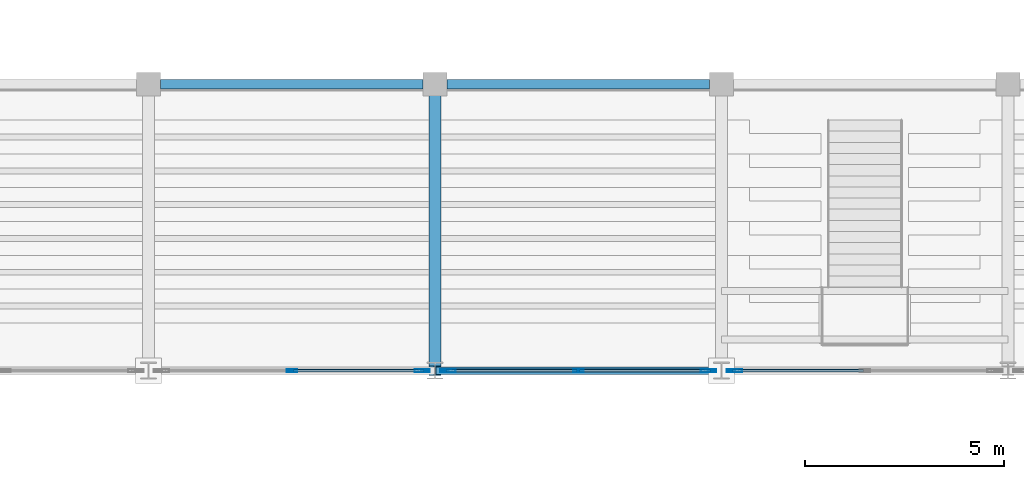
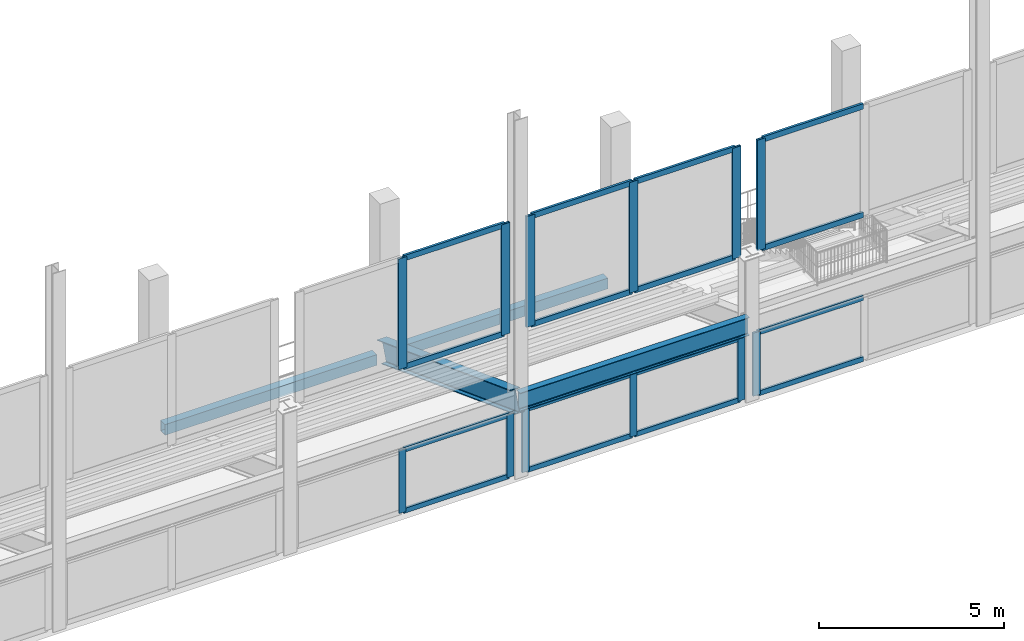
# One storey, part 22 of 120: 28 members, 4 beams, 6 elements without a shape of their own.
"""IFC4 building model written with IfcOpenShell, lengths in metres."""

from ifc_helpers import new_model, si_unit, direction, frame, origin, origin_2d, place, context, subcontext, project, spatial, hollow_rectangle, i_section, extrude, material, material_profile, profile_set, type_object, element, aggregate, save


model = new_model("IFC4")

# Units and contexts
model_context = context("Model", 3, precision=1e-05, world=origin(), true_north=direction((0.0, 1.0)))
body_context = subcontext(model_context, "Body", "Model", "MODEL_VIEW")
ifc_project = project(units=[si_unit("LENGTHUNIT", "METRE"), si_unit("AREAUNIT", "SQUARE_METRE"), si_unit("VOLUMEUNIT", "CUBIC_METRE"), si_unit("PLANEANGLEUNIT", "RADIAN"), si_unit("MASSUNIT", "GRAM", prefix="KILO")], contexts=[model_context])

# Site, building, storey
site_placement = place(None, origin())
site = spatial("IfcSite", under=ifc_project, at=site_placement, CompositionType="ELEMENT")
building_placement = place(site_placement, origin())
building = spatial("IfcBuilding", under=site, at=building_placement, Name="Vesperath Aquatics Centre", CompositionType="ELEMENT")
storey_placement = place(building_placement, frame((0.0, 0.0, 10.199951171875)))
storey = spatial("IfcBuildingStorey", under=building, at=storey_placement, Name="L02", CompositionType="ELEMENT", Elevation=10.199951171875)

# Beams
ifc_material_1 = material(Name="Steel Q355D", Category="steel")
ifc_material_profile_1 = material_profile(ifc_material_1, i_section(OverallWidth=0.300048828125, OverallDepth=0.699951171875, WebThickness=0.012939453125, FlangeThickness=0.02392578125, FilletRadius=0.028076171875, at=origin_2d()), Name="HN 700x300x13x24")
ifc_profile_set_1 = profile_set([ifc_material_profile_1], Name="Steel Q355D")
beam_type_1 = type_object("IfcBeamType", Name="BM-RK02", PredefinedType="USERDEFINED", material=ifc_profile_set_1)
beam_1_placement = place(storey_placement, frame((36.0, 21.60009765625, -0.300048828125), z_axis=(0.0, -0.93632395855, 0.351137358659), x_axis=(1.0, 0.0, 0.0)))
element("IfcBeam", 1, at=beam_1_placement, inside=storey, type_object=beam_type_1, Name="Upper Stand RAKER Beam RK02 South 6", ObjectType="RAKER", PredefinedType="USERDEFINED", context=body_context, shape_type="SweptSolid", body=[
    extrude(i_section(OverallWidth=0.300048828125, OverallDepth=0.699951171875, WebThickness=0.012939453125, FlangeThickness=0.02392578125, FilletRadius=0.028076171875, at=origin_2d()), origin(), (0.0, 0.0, 1.0), 7.68994140625),
])
ifc_material_profile_2 = material_profile(ifc_material_1, i_section(OverallWidth=0.199951171875, OverallDepth=0.60009765625, WebThickness=0.010986328125, FlangeThickness=0.01708984375, FilletRadius=0.02197265625, at=origin_2d()), Name="HN 600x200x11x17")
ifc_profile_set_2 = profile_set([ifc_material_profile_2], Name="Steel Q355D")
beam_type_2 = type_object("IfcBeamType", Name="BM-RKH1", PredefinedType="BEAM", material=ifc_profile_set_2)
beam_2_placement = place(storey_placement, frame((36.02001953125, 14.39990234375, 2.400146484375), z_axis=(1.0, 0.0, 0.0), x_axis=(0.0, 1.0, 0.0)))
element("IfcBeam", 2, at=beam_2_placement, inside=storey, type_object=beam_type_2, Name="Upper Bowl Rim Girder RKH1 South 6-7", PredefinedType="BEAM", context=body_context, shape_type="SweptSolid", body=[
    extrude(i_section(OverallWidth=0.199951171875, OverallDepth=0.60009765625, WebThickness=0.010986328125, FlangeThickness=0.01708984375, FilletRadius=0.02197265625, at=origin_2d()), origin(), (0.0, 0.0, 1.0), 7.159912109375),
])
ifc_material_profile_3 = material_profile(ifc_material_1, hollow_rectangle(XDim=0.25, YDim=0.35009765625, WallThickness=0.011962890625, at=origin_2d()), Name="RHS 350x250x12")
ifc_profile_set_3 = profile_set([ifc_material_profile_3], Name="Steel Q355D")
beam_type_3 = type_object("IfcBeamType", Name="BM-SP02", PredefinedType="SPANDREL", material=ifc_profile_set_3)
for number, where, z_axis, x_axis, name in (
    (3, (29.10009765625, 21.60009765625, -0.43505859375), (1.0, 0.0, 0.0), (0.0, 1.0, 0.0), "Floor Girder SP02 L02 D 5-6"),
    (4, (36.300048828125, 21.60009765625, -0.43505859375), (1.0, 0.0, 0.0), (0.0, 1.0, 0.0), "Floor Girder SP02 L02 D 6-7"),
):
    element("IfcBeam", number, at=place(storey_placement, frame(where, z_axis=z_axis, x_axis=x_axis)), inside=storey, type_object=beam_type_3, Name=name, PredefinedType="SPANDREL", context=body_context, shape_type="SweptSolid", body=[
        extrude(hollow_rectangle(XDim=0.25, YDim=0.35009765625, WallThickness=0.011962890625, at=origin_2d()), origin(), (0.0, 0.0, 1.0), 6.599853515625),
    ])

# Curtain wall, members
ifc_material_2 = material(Name="Thermally broken anodised bronze aluminium curtain wall", Category="aluminium")
curtain_wall_type_1 = type_object("IfcCurtainWallType", Name="CW-08", PredefinedType="NOTDEFINED", material=ifc_material_2)
curtain_wall_1_placement = place(storey_placement, origin())
curtain_wall_1 = element("IfcCurtainWall", 5, at=curtain_wall_1_placement, inside=storey, type_object=curtain_wall_type_1, Name="Natatorium Gable West Curtain Wall CW08 S-3W", PredefinedType="NOTDEFINED")
ifc_material_3 = material(Name="Thermally broken anodised aluminium", Category="aluminium")
ifc_material_profile_4 = material_profile(ifc_material_3, hollow_rectangle(XDim=0.074951171875, YDim=0.260009765625, WallThickness=0.006103515625, at=origin_2d()), Name="CWM 75x260x6")
ifc_profile_set_4 = profile_set([ifc_material_profile_4], Name="Thermally broken anodised aluminium")
member_type_1 = type_object("IfcMemberType", Name="MB-CWM1", PredefinedType="MULLION", material=ifc_profile_set_4)
member_1_placement = place(storey_placement, frame((32.39990234375, 14.39990234375, 4.75), z_axis=(0.0, 0.0, 1.0), x_axis=(0.0, 1.0, 0.0)))
member_1 = element("IfcMember", 6, at=member_1_placement, type_object=member_type_1, Name="CW08 mullion 2", PredefinedType="MULLION", context=body_context, shape_type="SweptSolid", body=[
    extrude(hollow_rectangle(XDim=0.074951171875, YDim=0.260009765625, WallThickness=0.006103515625, at=origin_2d()), origin(), (0.0, 0.0, 1.0), 3.650146484375),
])
member_2_placement = place(storey_placement, frame((35.612548828125, 14.39990234375, 4.75), z_axis=(0.0, 0.0, 1.0), x_axis=(0.0, 1.0, 0.0)))
member_2 = element("IfcMember", 7, at=member_2_placement, type_object=member_type_1, Name="CW08 mullion 3", PredefinedType="MULLION", context=body_context, shape_type="SweptSolid", body=[
    extrude(hollow_rectangle(XDim=0.074951171875, YDim=0.260009765625, WallThickness=0.006103515625, at=origin_2d()), origin(), (0.0, 0.0, 1.0), 3.650146484375),
])

curtain_wall_2_placement = place(storey_placement, origin())
curtain_wall_2 = element("IfcCurtainWall", 8, at=curtain_wall_2_placement, inside=storey, type_object=curtain_wall_type_1, Name="Natatorium Gable East Curtain Wall CW08 S-3E", PredefinedType="NOTDEFINED")
member_3_placement = place(storey_placement, frame((36.387451171875, 14.39990234375, 4.75), z_axis=(0.0, 0.0, 1.0), x_axis=(0.0, 1.0, 0.0)))
member_3 = element("IfcMember", 9, at=member_3_placement, type_object=member_type_1, Name="CW08 mullion 1", PredefinedType="MULLION", context=body_context, shape_type="SweptSolid", body=[
    extrude(hollow_rectangle(XDim=0.074951171875, YDim=0.260009765625, WallThickness=0.006103515625, at=origin_2d()), origin(), (0.0, 0.0, 1.0), 3.650146484375),
])
member_4_placement = place(storey_placement, frame((39.60009765625, 14.39990234375, 4.75), z_axis=(0.0, 0.0, 1.0), x_axis=(0.0, 1.0, 0.0)))
member_4 = element("IfcMember", 10, at=member_4_placement, type_object=member_type_1, Name="CW08 mullion 2", PredefinedType="MULLION", context=body_context, shape_type="SweptSolid", body=[
    extrude(hollow_rectangle(XDim=0.074951171875, YDim=0.260009765625, WallThickness=0.006103515625, at=origin_2d()), origin(), (0.0, 0.0, 1.0), 3.650146484375),
])
member_5_placement = place(storey_placement, frame((42.8125, 14.39990234375, 4.75), z_axis=(0.0, 0.0, 1.0), x_axis=(0.0, 1.0, 0.0)))
member_5 = element("IfcMember", 11, at=member_5_placement, type_object=member_type_1, Name="CW08 mullion 3", PredefinedType="MULLION", context=body_context, shape_type="SweptSolid", body=[
    extrude(hollow_rectangle(XDim=0.074951171875, YDim=0.260009765625, WallThickness=0.006103515625, at=origin_2d()), origin(), (0.0, 0.0, 1.0), 3.650146484375),
])

# Curtain wall, member
curtain_wall_3_placement = place(storey_placement, origin())
curtain_wall_3 = element("IfcCurtainWall", 12, at=curtain_wall_3_placement, inside=storey, type_object=curtain_wall_type_1, Name="Natatorium Gable West Curtain Wall CW08 S-4W", PredefinedType="NOTDEFINED")
member_6_placement = place(storey_placement, frame((43.58740234375, 14.39990234375, 4.75), z_axis=(0.0, 0.0, 1.0), x_axis=(0.0, 1.0, 0.0)))
member_6 = element("IfcMember", 13, at=member_6_placement, type_object=member_type_1, Name="CW08 mullion 1", PredefinedType="MULLION", context=body_context, shape_type="SweptSolid", body=[
    extrude(hollow_rectangle(XDim=0.074951171875, YDim=0.260009765625, WallThickness=0.006103515625, at=origin_2d()), origin(), (0.0, 0.0, 1.0), 3.650146484375),
])

# Curtain wall, members
curtain_wall_type_2 = type_object("IfcCurtainWallType", Name="CW-06", PredefinedType="NOTDEFINED", material=ifc_material_2)
curtain_wall_4_placement = place(storey_placement, origin())
curtain_wall_4 = element("IfcCurtainWall", 14, at=curtain_wall_4_placement, inside=storey, type_object=curtain_wall_type_2, Name="Facade Curtain Wall CW06 L02_S_04_02", PredefinedType="NOTDEFINED")
ifc_material_profile_5 = material_profile(ifc_material_3, hollow_rectangle(XDim=0.070068359375, YDim=0.219970703125, WallThickness=0.0048828125, at=origin_2d()), Name="CWM 70x220x5")
ifc_profile_set_5 = profile_set([ifc_material_profile_5], Name="Thermally broken anodised aluminium")
member_type_2 = type_object("IfcMemberType", Name="MB-CWM2", PredefinedType="MULLION", material=ifc_profile_set_5)
member_7_placement = place(storey_placement, frame((32.39990234375, 14.39990234375, 0.0), z_axis=(0.0, 0.0, 1.0), x_axis=(0.0, 1.0, 0.0)))
member_7 = element("IfcMember", 15, at=member_7_placement, type_object=member_type_2, Name="CW06 mullion 2", PredefinedType="MULLION", context=body_context, shape_type="SweptSolid", body=[
    extrude(hollow_rectangle(XDim=0.070068359375, YDim=0.219970703125, WallThickness=0.0048828125, at=origin_2d()), origin(), (0.0, 0.0, 1.0), 2.080078125),
])
member_8_placement = place(storey_placement, frame((35.761474609375, 14.39990234375, 0.0), z_axis=(0.0, 0.0, 1.0), x_axis=(0.0, 1.0, 0.0)))
member_8 = element("IfcMember", 16, at=member_8_placement, type_object=member_type_2, Name="CW06 mullion 3", PredefinedType="MULLION", context=body_context, shape_type="SweptSolid", body=[
    extrude(hollow_rectangle(XDim=0.070068359375, YDim=0.219970703125, WallThickness=0.0048828125, at=origin_2d()), origin(), (0.0, 0.0, 1.0), 2.080078125),
])

curtain_wall_5_placement = place(storey_placement, origin())
curtain_wall_5 = element("IfcCurtainWall", 17, at=curtain_wall_5_placement, inside=storey, type_object=curtain_wall_type_2, Name="Facade Curtain Wall CW06 L02_S_05_02", PredefinedType="NOTDEFINED")
member_9_placement = place(storey_placement, frame((36.238525390625, 14.39990234375, 0.0), z_axis=(0.0, 0.0, 1.0), x_axis=(0.0, 1.0, 0.0)))
member_9 = element("IfcMember", 18, at=member_9_placement, type_object=member_type_2, Name="CW06 mullion 1", PredefinedType="MULLION", context=body_context, shape_type="SweptSolid", body=[
    extrude(hollow_rectangle(XDim=0.070068359375, YDim=0.219970703125, WallThickness=0.0048828125, at=origin_2d()), origin(), (0.0, 0.0, 1.0), 2.080078125),
])
member_10_placement = place(storey_placement, frame((39.60009765625, 14.39990234375, 0.0), z_axis=(0.0, 0.0, 1.0), x_axis=(0.0, 1.0, 0.0)))
member_10 = element("IfcMember", 19, at=member_10_placement, type_object=member_type_2, Name="CW06 mullion 2", PredefinedType="MULLION", context=body_context, shape_type="SweptSolid", body=[
    extrude(hollow_rectangle(XDim=0.070068359375, YDim=0.219970703125, WallThickness=0.0048828125, at=origin_2d()), origin(), (0.0, 0.0, 1.0), 2.080078125),
])
member_11_placement = place(storey_placement, frame((42.96142578125, 14.39990234375, 0.0), z_axis=(0.0, 0.0, 1.0), x_axis=(0.0, 1.0, 0.0)))
member_11 = element("IfcMember", 20, at=member_11_placement, type_object=member_type_2, Name="CW06 mullion 3", PredefinedType="MULLION", context=body_context, shape_type="SweptSolid", body=[
    extrude(hollow_rectangle(XDim=0.070068359375, YDim=0.219970703125, WallThickness=0.0048828125, at=origin_2d()), origin(), (0.0, 0.0, 1.0), 2.080078125),
])

# Curtain wall, member
curtain_wall_6_placement = place(storey_placement, origin())
curtain_wall_6 = element("IfcCurtainWall", 21, at=curtain_wall_6_placement, inside=storey, type_object=curtain_wall_type_2, Name="Facade Curtain Wall CW06 L02_S_06_02", PredefinedType="NOTDEFINED")
member_12_placement = place(storey_placement, frame((43.4384765625, 14.39990234375, 0.0), z_axis=(0.0, 0.0, 1.0), x_axis=(0.0, 1.0, 0.0)))
member_12 = element("IfcMember", 22, at=member_12_placement, type_object=member_type_2, Name="CW06 mullion 1", PredefinedType="MULLION", context=body_context, shape_type="SweptSolid", body=[
    extrude(hollow_rectangle(XDim=0.070068359375, YDim=0.219970703125, WallThickness=0.0048828125, at=origin_2d()), origin(), (0.0, 0.0, 1.0), 2.080078125),
])

# Member
ifc_material_profile_6 = material_profile(ifc_material_3, hollow_rectangle(XDim=0.074951171875, YDim=0.179931640625, WallThickness=0.0048828125, at=origin_2d()), Name="CWT 75x180x5")
ifc_profile_set_6 = profile_set([ifc_material_profile_6], Name="Thermally broken anodised aluminium")
member_type_3 = type_object("IfcMemberType", Name="MB-CWT1", PredefinedType="USERDEFINED", material=ifc_profile_set_6)
member_13_placement = place(storey_placement, frame((32.4375, 14.39990234375, 4.78759765625), z_axis=(1.0, 0.0, 0.0), x_axis=(0.0, 1.0, 0.0)))
member_13 = element("IfcMember", 23, at=member_13_placement, type_object=member_type_3, Name="CW08 transom 2.1", ObjectType="TRANSOM", PredefinedType="USERDEFINED", context=body_context, shape_type="SweptSolid", body=[
    extrude(hollow_rectangle(XDim=0.074951171875, YDim=0.179931640625, WallThickness=0.0048828125, at=origin_2d()), origin(), (0.0, 0.0, 1.0), 3.137451171875),
])

member_14_placement = place(storey_placement, frame((32.4375, 14.39990234375, 8.362548828125), z_axis=(1.0, 0.0, 0.0), x_axis=(0.0, 1.0, 0.0)))
member_14 = element("IfcMember", 24, at=member_14_placement, type_object=member_type_3, Name="CW08 transom 2.2", ObjectType="TRANSOM", PredefinedType="USERDEFINED", context=body_context, shape_type="SweptSolid", body=[
    extrude(hollow_rectangle(XDim=0.074951171875, YDim=0.179931640625, WallThickness=0.0048828125, at=origin_2d()), origin(), (0.0, 0.0, 1.0), 3.137451171875),
])

aggregate(curtain_wall_1, [member_1, member_2, member_13, member_14])

member_15_placement = place(storey_placement, frame((36.425048828125, 14.39990234375, 4.78759765625), z_axis=(1.0, 0.0, 0.0), x_axis=(0.0, 1.0, 0.0)))
member_15 = element("IfcMember", 25, at=member_15_placement, type_object=member_type_3, Name="CW08 transom 1.1", ObjectType="TRANSOM", PredefinedType="USERDEFINED", context=body_context, shape_type="SweptSolid", body=[
    extrude(hollow_rectangle(XDim=0.074951171875, YDim=0.179931640625, WallThickness=0.0048828125, at=origin_2d()), origin(), (0.0, 0.0, 1.0), 3.137451171875),
])

member_16_placement = place(storey_placement, frame((36.425048828125, 14.39990234375, 8.362548828125), z_axis=(1.0, 0.0, 0.0), x_axis=(0.0, 1.0, 0.0)))
member_16 = element("IfcMember", 26, at=member_16_placement, type_object=member_type_3, Name="CW08 transom 1.2", ObjectType="TRANSOM", PredefinedType="USERDEFINED", context=body_context, shape_type="SweptSolid", body=[
    extrude(hollow_rectangle(XDim=0.074951171875, YDim=0.179931640625, WallThickness=0.0048828125, at=origin_2d()), origin(), (0.0, 0.0, 1.0), 3.137451171875),
])

member_17_placement = place(storey_placement, frame((39.637451171875, 14.39990234375, 4.78759765625), z_axis=(1.0, 0.0, 0.0), x_axis=(0.0, 1.0, 0.0)))
member_17 = element("IfcMember", 27, at=member_17_placement, type_object=member_type_3, Name="CW08 transom 2.1", ObjectType="TRANSOM", PredefinedType="USERDEFINED", context=body_context, shape_type="SweptSolid", body=[
    extrude(hollow_rectangle(XDim=0.074951171875, YDim=0.179931640625, WallThickness=0.0048828125, at=origin_2d()), origin(), (0.0, 0.0, 1.0), 3.137451171875),
])

member_18_placement = place(storey_placement, frame((39.637451171875, 14.39990234375, 8.362548828125), z_axis=(1.0, 0.0, 0.0), x_axis=(0.0, 1.0, 0.0)))
member_18 = element("IfcMember", 28, at=member_18_placement, type_object=member_type_3, Name="CW08 transom 2.2", ObjectType="TRANSOM", PredefinedType="USERDEFINED", context=body_context, shape_type="SweptSolid", body=[
    extrude(hollow_rectangle(XDim=0.074951171875, YDim=0.179931640625, WallThickness=0.0048828125, at=origin_2d()), origin(), (0.0, 0.0, 1.0), 3.137451171875),
])

aggregate(curtain_wall_2, [member_3, member_4, member_5, member_15, member_16, member_17, member_18])

member_19_placement = place(storey_placement, frame((43.625, 14.39990234375, 4.78759765625), z_axis=(1.0, 0.0, 0.0), x_axis=(0.0, 1.0, 0.0)))
member_19 = element("IfcMember", 29, at=member_19_placement, type_object=member_type_3, Name="CW08 transom 1.1", ObjectType="TRANSOM", PredefinedType="USERDEFINED", context=body_context, shape_type="SweptSolid", body=[
    extrude(hollow_rectangle(XDim=0.074951171875, YDim=0.179931640625, WallThickness=0.0048828125, at=origin_2d()), origin(), (0.0, 0.0, 1.0), 3.137451171875),
])

member_20_placement = place(storey_placement, frame((43.625, 14.39990234375, 8.362548828125), z_axis=(1.0, 0.0, 0.0), x_axis=(0.0, 1.0, 0.0)))
member_20 = element("IfcMember", 30, at=member_20_placement, type_object=member_type_3, Name="CW08 transom 1.2", ObjectType="TRANSOM", PredefinedType="USERDEFINED", context=body_context, shape_type="SweptSolid", body=[
    extrude(hollow_rectangle(XDim=0.074951171875, YDim=0.179931640625, WallThickness=0.0048828125, at=origin_2d()), origin(), (0.0, 0.0, 1.0), 3.137451171875),
])

aggregate(curtain_wall_3, [member_6, member_19, member_20])

ifc_material_profile_7 = material_profile(ifc_material_3, hollow_rectangle(XDim=0.070068359375, YDim=0.159912109375, WallThickness=0.0048828125, at=origin_2d()), Name="CWT 70x160x5")
ifc_profile_set_7 = profile_set([ifc_material_profile_7], Name="Thermally broken anodised aluminium")
member_type_4 = type_object("IfcMemberType", Name="MB-CWT2", PredefinedType="USERDEFINED", material=ifc_profile_set_7)
member_21_placement = place(storey_placement, frame((32.43505859375, 14.39990234375, 0.03515625), z_axis=(1.0, 0.0, 0.0), x_axis=(0.0, 1.0, 0.0)))
member_21 = element("IfcMember", 31, at=member_21_placement, type_object=member_type_4, Name="CW06 transom 2.1", ObjectType="TRANSOM", PredefinedType="USERDEFINED", context=body_context, shape_type="SweptSolid", body=[
    extrude(hollow_rectangle(XDim=0.070068359375, YDim=0.159912109375, WallThickness=0.0048828125, at=origin_2d()), origin(), (0.0, 0.0, 1.0), 3.29150390625),
])

member_22_placement = place(storey_placement, frame((32.43505859375, 14.39990234375, 2.045166015625), z_axis=(1.0, 0.0, 0.0), x_axis=(0.0, 1.0, 0.0)))
member_22 = element("IfcMember", 32, at=member_22_placement, type_object=member_type_4, Name="CW06 transom 2.2", ObjectType="TRANSOM", PredefinedType="USERDEFINED", context=body_context, shape_type="SweptSolid", body=[
    extrude(hollow_rectangle(XDim=0.070068359375, YDim=0.159912109375, WallThickness=0.0048828125, at=origin_2d()), origin(), (0.0, 0.0, 1.0), 3.29150390625),
])

aggregate(curtain_wall_4, [member_7, member_8, member_21, member_22])

member_23_placement = place(storey_placement, frame((36.2734375, 14.39990234375, 0.03515625), z_axis=(1.0, 0.0, 0.0), x_axis=(0.0, 1.0, 0.0)))
member_23 = element("IfcMember", 33, at=member_23_placement, type_object=member_type_4, Name="CW06 transom 1.1", ObjectType="TRANSOM", PredefinedType="USERDEFINED", context=body_context, shape_type="SweptSolid", body=[
    extrude(hollow_rectangle(XDim=0.070068359375, YDim=0.159912109375, WallThickness=0.0048828125, at=origin_2d()), origin(), (0.0, 0.0, 1.0), 3.29150390625),
])

member_24_placement = place(storey_placement, frame((36.2734375, 14.39990234375, 2.045166015625), z_axis=(1.0, 0.0, 0.0), x_axis=(0.0, 1.0, 0.0)))
member_24 = element("IfcMember", 34, at=member_24_placement, type_object=member_type_4, Name="CW06 transom 1.2", ObjectType="TRANSOM", PredefinedType="USERDEFINED", context=body_context, shape_type="SweptSolid", body=[
    extrude(hollow_rectangle(XDim=0.070068359375, YDim=0.159912109375, WallThickness=0.0048828125, at=origin_2d()), origin(), (0.0, 0.0, 1.0), 3.29150390625),
])

member_25_placement = place(storey_placement, frame((39.635009765625, 14.39990234375, 0.03515625), z_axis=(1.0, 0.0, 0.0), x_axis=(0.0, 1.0, 0.0)))
member_25 = element("IfcMember", 35, at=member_25_placement, type_object=member_type_4, Name="CW06 transom 2.1", ObjectType="TRANSOM", PredefinedType="USERDEFINED", context=body_context, shape_type="SweptSolid", body=[
    extrude(hollow_rectangle(XDim=0.070068359375, YDim=0.159912109375, WallThickness=0.0048828125, at=origin_2d()), origin(), (0.0, 0.0, 1.0), 3.29150390625),
])

member_26_placement = place(storey_placement, frame((39.635009765625, 14.39990234375, 2.045166015625), z_axis=(1.0, 0.0, 0.0), x_axis=(0.0, 1.0, 0.0)))
member_26 = element("IfcMember", 36, at=member_26_placement, type_object=member_type_4, Name="CW06 transom 2.2", ObjectType="TRANSOM", PredefinedType="USERDEFINED", context=body_context, shape_type="SweptSolid", body=[
    extrude(hollow_rectangle(XDim=0.070068359375, YDim=0.159912109375, WallThickness=0.0048828125, at=origin_2d()), origin(), (0.0, 0.0, 1.0), 3.29150390625),
])

aggregate(curtain_wall_5, [member_9, member_10, member_11, member_23, member_24, member_25, member_26])

member_27_placement = place(storey_placement, frame((43.473388671875, 14.39990234375, 0.03515625), z_axis=(1.0, 0.0, 0.0), x_axis=(0.0, 1.0, 0.0)))
member_27 = element("IfcMember", 37, at=member_27_placement, type_object=member_type_4, Name="CW06 transom 1.1", ObjectType="TRANSOM", PredefinedType="USERDEFINED", context=body_context, shape_type="SweptSolid", body=[
    extrude(hollow_rectangle(XDim=0.070068359375, YDim=0.159912109375, WallThickness=0.0048828125, at=origin_2d()), origin(), (0.0, 0.0, 1.0), 3.29150390625),
])

member_28_placement = place(storey_placement, frame((43.473388671875, 14.39990234375, 2.045166015625), z_axis=(1.0, 0.0, 0.0), x_axis=(0.0, 1.0, 0.0)))
member_28 = element("IfcMember", 38, at=member_28_placement, type_object=member_type_4, Name="CW06 transom 1.2", ObjectType="TRANSOM", PredefinedType="USERDEFINED", context=body_context, shape_type="SweptSolid", body=[
    extrude(hollow_rectangle(XDim=0.070068359375, YDim=0.159912109375, WallThickness=0.0048828125, at=origin_2d()), origin(), (0.0, 0.0, 1.0), 3.29150390625),
])

aggregate(curtain_wall_6, [member_12, member_27, member_28])

save(model, "model.ifc")
